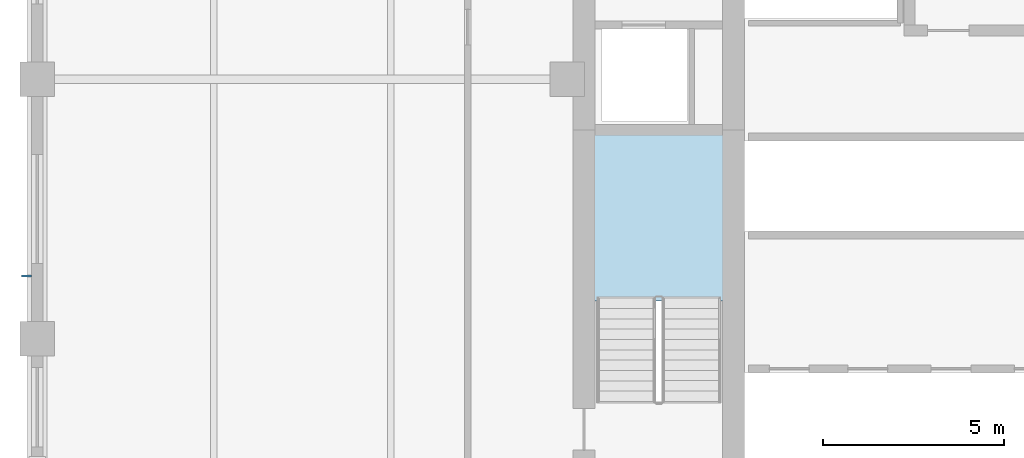
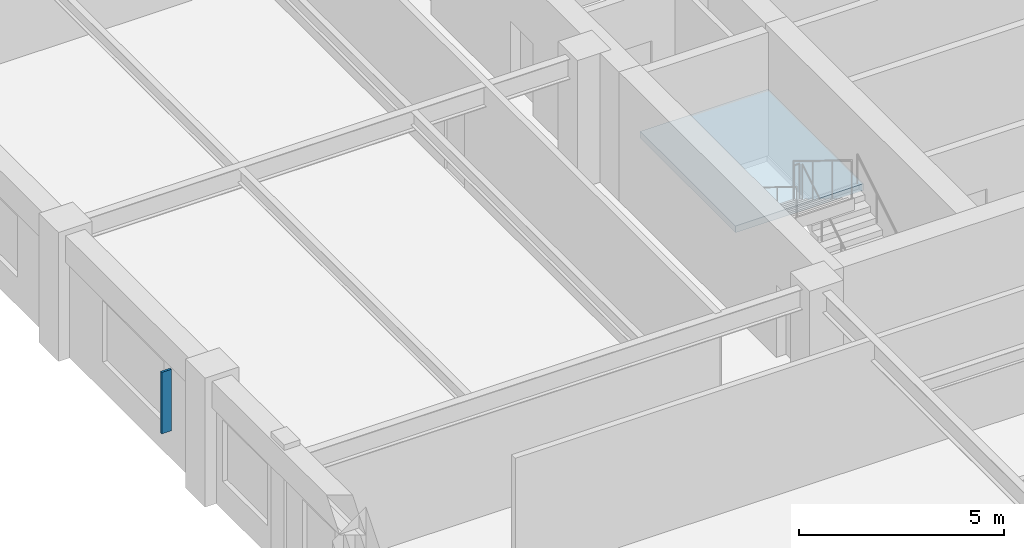
# One storey, part 2 of 9: 1 plate, 1 slab, 1 element without a shape of its own.
"""IFC4 building model written with IfcOpenShell, lengths in metres."""

from ifc_helpers import new_model, si_unit, direction, frame, origin, origin_2d, place, context, subcontext, project, spatial, polyline, rectangle, outline, extrude, material, layer, layer_set, type_object, element, aggregate, save


model = new_model("IFC4")

# Units and contexts
model_context = context("Model", 3, precision=1e-05, world=origin(), true_north=direction((0.0, 1.0)))
body_context = subcontext(model_context, "Body", "Model", "MODEL_VIEW")
ifc_project = project(units=[si_unit("LENGTHUNIT", "METRE"), si_unit("AREAUNIT", "SQUARE_METRE"), si_unit("VOLUMEUNIT", "CUBIC_METRE"), si_unit("PLANEANGLEUNIT", "RADIAN"), si_unit("MASSUNIT", "GRAM", prefix="KILO")], contexts=[model_context])

# Site, building, storey
site_placement = place(None, origin())
site = spatial("IfcSite", under=ifc_project, at=site_placement, CompositionType="ELEMENT")
building_placement = place(site_placement, origin())
building = spatial("IfcBuilding", under=site, at=building_placement, Name="Nhamokura Convention Tower", CompositionType="ELEMENT")
storey_placement = place(building_placement, frame((0.0, 0.0, 149.10009765625)))
storey = spatial("IfcBuildingStorey", under=building, at=storey_placement, Name="L36", CompositionType="ELEMENT", Elevation=149.10009765625)

# Plate
ifc_material_1 = material(Name="Anodised bronze aluminium AA6063-T6", Category="aluminium")
plate_type = type_object("IfcPlateType", Name="BronzeSolarFin_2", PredefinedType="USERDEFINED", material=ifc_material_1)
plate_placement = place(storey_placement, frame((5.699951171875, 26.566650390625, 0.849853515625), z_axis=(0.0, 0.0, 1.0), x_axis=(1.0, 0.0, 0.0)))
element("IfcPlate", 1, at=plate_placement, inside=storey, type_object=plate_type, Name="L36 Bronze Solar Shading Fin WEST 2", ObjectType="SOLAR_FIN", PredefinedType="USERDEFINED", context=body_context, shape_type="SweptSolid", body=[
    extrude(rectangle(XDim=0.280029296875, YDim=0.06005859375, at=origin_2d()), origin(), (0.0, 0.0, 1.0), 1.8349609375),
])

# Stair, slab
ifc_material_2 = material(Name="Concrete C40/50", Category="concrete")
stair_type = type_object("IfcStairType", Name="TowerCoreStair_1650", PredefinedType="HALF_TURN_STAIR", material=ifc_material_2)
stair_placement = place(storey_placement, origin())
stair = element("IfcStair", 2, at=stair_placement, inside=storey, type_object=stair_type, Name="L36 West Core Smokeproof Stair ST-01", PredefinedType="HALF_TURN_STAIR")
ifc_material_3 = material(Name="Concrete C40/50", Category="concrete")
ifc_layer = layer(ifc_material_3, 0.199951171875)
ifc_layer_set = layer_set([ifc_layer], Name="StairLandingSlab_200")
slab_type = type_object("IfcSlabType", Name="StairLandingSlab_200", PredefinedType="LANDING", material=ifc_layer_set)
slab_placement = place(storey_placement, frame((0.0, 0.0, 1.724853515625)))
slab = element("IfcSlab", 3, at=slab_placement, type_object=slab_type, Name="ST-01 landing 1", PredefinedType="LANDING", context=body_context, shape_type="SweptSolid", body=[
    extrude(outline(polyline([(24.97998046875, 25.8701171875), (24.97998046875, 30.530029296875), (21.3701171875, 30.530029296875), (21.3701171875, 25.8701171875), (24.97998046875, 25.8701171875)])), origin(), (0.0, 0.0, 1.0), 0.199951171875),
])
aggregate(stair, [slab])

save(model, "model.ifc")
